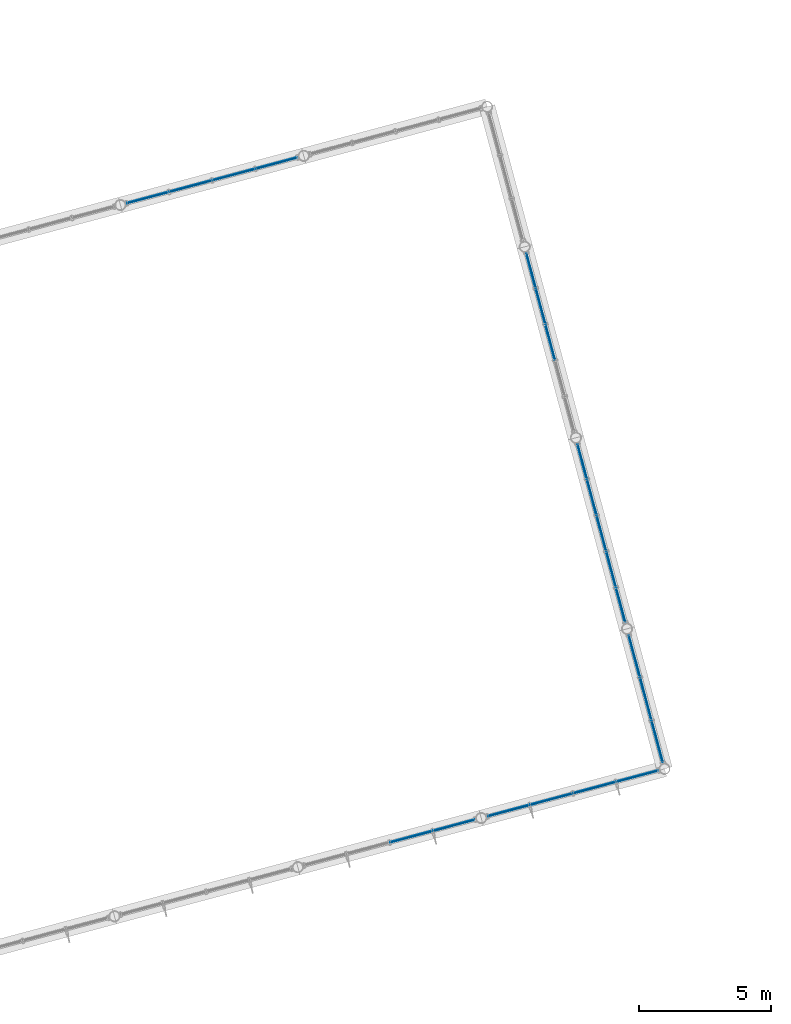
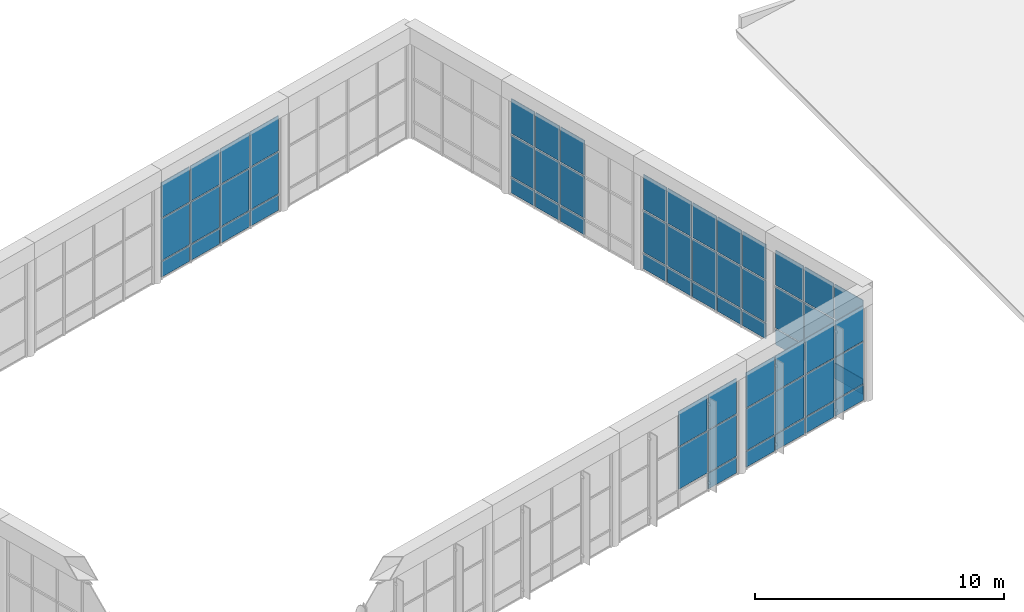
# One storey, part 41 of 55: 62 plates, 6 elements without a shape of their own.
"""IFC4 building model written with IfcOpenShell, lengths in metres."""

from ifc_helpers import new_model, si_unit, direction, frame, origin, origin_2d, place, context, subcontext, project, spatial, rectangle, extrude, material, layer, layer_set, type_object, element, aggregate, save


model = new_model("IFC4")

# Units and contexts
model_context = context("Model", 3, precision=1e-05, world=origin(), true_north=direction((0.0, 1.0)))
body_context = subcontext(model_context, "Body", "Model", "MODEL_VIEW")
ifc_project = project(units=[si_unit("LENGTHUNIT", "METRE"), si_unit("AREAUNIT", "SQUARE_METRE"), si_unit("VOLUMEUNIT", "CUBIC_METRE"), si_unit("PLANEANGLEUNIT", "RADIAN"), si_unit("MASSUNIT", "GRAM", prefix="KILO")], contexts=[model_context])

# Site, building, storey
site_placement = place(None, origin())
site = spatial("IfcSite", under=ifc_project, at=site_placement, CompositionType="ELEMENT")
building_placement = place(site_placement, origin())
building = spatial("IfcBuilding", under=site, at=building_placement, Name="Ventoquebrada Cableway Terminal", CompositionType="ELEMENT")
storey_placement = place(building_placement, frame((0.0, 0.0, 14.39990234375)))
storey = spatial("IfcBuildingStorey", under=building, at=storey_placement, Name="L03", CompositionType="ELEMENT", Elevation=14.39990234375)

# Curtain wall, plates
ifc_material_1 = material(Name="Anodized thermally-broken aluminium", Category="aluminium")
ifc_layer_1 = layer(ifc_material_1, 0.159912109375)
ifc_layer_set_1 = layer_set([ifc_layer_1], Name="Anodized thermally-broken aluminium")
curtain_wall_type_1 = type_object("IfcCurtainWallType", Name="CW-T42", PredefinedType="USERDEFINED", material=ifc_layer_set_1)
curtain_wall_1_placement = place(storey_placement, origin())
curtain_wall_1 = element("IfcCurtainWall", 1, at=curtain_wall_1_placement, inside=storey, type_object=curtain_wall_type_1, Name="Unitised glazed curtain wall CW-118", ObjectType="UNITISED CURTAIN WALL", PredefinedType="USERDEFINED")
ifc_material_2 = material(Name="Double low-e laminated safety glazing", Category="glass")
ifc_layer_2 = layer(ifc_material_2, 0.031982421875)
ifc_layer_set_2 = layer_set([ifc_layer_2], Name="Double low-e laminated safety glazing")
plate_type_1 = type_object("IfcPlateType", Name="CWP-GL1", PredefinedType="CURTAIN_PANEL", material=ifc_layer_set_2)
plate_1_placement = place(storey_placement, frame((77.137939453125, 76.52587890625, 2.9697265625), z_axis=(0.0, 0.0, 1.0), x_axis=(0.965957439792, 0.258701033069, 0.0)))
plate_1 = element("IfcPlate", 2, at=plate_1_placement, type_object=plate_type_1, Name="Vision glazing panel PN-1235", PredefinedType="CURTAIN_PANEL", context=body_context, shape_type="SweptSolid", body=[
    extrude(rectangle(XDim=1.636962890625, YDim=0.031982421875, at=origin_2d()), origin(), (0.0, 0.0, 1.0), 1.720947265625),
])
plate_2_placement = place(storey_placement, frame((78.760009765625, 76.9599609375, 0.874267578125), z_axis=(0.0, 0.0, 1.0), x_axis=(0.965957439792, 0.258701033069, 0.0)))
plate_2 = element("IfcPlate", 3, at=plate_2_placement, type_object=plate_type_1, Name="Vision glazing panel PN-1237", PredefinedType="CURTAIN_PANEL", context=body_context, shape_type="SweptSolid", body=[
    extrude(rectangle(XDim=1.60205078125, YDim=0.031982421875, at=origin_2d()), origin(), (0.0, 0.0, 1.0), 2.0458984375),
])

curtain_wall_2_placement = place(storey_placement, origin())
curtain_wall_2 = element("IfcCurtainWall", 4, at=curtain_wall_2_placement, inside=storey, type_object=curtain_wall_type_1, Name="Unitised glazed curtain wall CW-119", ObjectType="UNITISED CURTAIN WALL", PredefinedType="USERDEFINED")
plate_3_placement = place(storey_placement, frame((80.833984375, 77.51611328125, 2.9697265625), z_axis=(0.0, 0.0, 1.0), x_axis=(0.965912273231, 0.258869620506, 0.0)))
plate_3 = element("IfcPlate", 5, at=plate_3_placement, type_object=plate_type_1, Name="Vision glazing panel PN-1241", PredefinedType="CURTAIN_PANEL", context=body_context, shape_type="SweptSolid", body=[
    extrude(rectangle(XDim=1.60205078125, YDim=0.031982421875, at=origin_2d()), origin(), (0.0, 0.0, 1.0), 1.720947265625),
])
plate_4_placement = place(storey_placement, frame((82.455078125, 77.950927734375, 0.874267578125), z_axis=(0.0, 0.0, 1.0), x_axis=(0.965912273231, 0.258869620506, 0.0)))
plate_4 = element("IfcPlate", 6, at=plate_4_placement, type_object=plate_type_1, Name="Vision glazing panel PN-1243", PredefinedType="CURTAIN_PANEL", context=body_context, shape_type="SweptSolid", body=[
    extrude(rectangle(XDim=1.636962890625, YDim=0.031982421875, at=origin_2d()), origin(), (0.0, 0.0, 1.0), 2.0458984375),
])
plate_5_placement = place(storey_placement, frame((84.093017578125, 78.388916015625, 2.9697265625), z_axis=(0.0, 0.0, 1.0), x_axis=(0.965912273231, 0.258869620506, 0.0)))
plate_5 = element("IfcPlate", 7, at=plate_5_placement, type_object=plate_type_1, Name="Vision glazing panel PN-1247", PredefinedType="CURTAIN_PANEL", context=body_context, shape_type="SweptSolid", body=[
    extrude(rectangle(XDim=1.636962890625, YDim=0.031982421875, at=origin_2d()), origin(), (0.0, 0.0, 1.0), 1.720947265625),
])
plate_6_placement = place(storey_placement, frame((85.714111328125, 78.823974609375, 0.874267578125), z_axis=(0.0, 0.0, 1.0), x_axis=(0.965912273231, 0.258869620506, 0.0)))
plate_6 = element("IfcPlate", 8, at=plate_6_placement, type_object=plate_type_1, Name="Vision glazing panel PN-1249", PredefinedType="CURTAIN_PANEL", context=body_context, shape_type="SweptSolid", body=[
    extrude(rectangle(XDim=1.60205078125, YDim=0.031982421875, at=origin_2d()), origin(), (0.0, 0.0, 1.0), 2.0458984375),
])

curtain_wall_3_placement = place(storey_placement, origin())
curtain_wall_3 = element("IfcCurtainWall", 9, at=curtain_wall_3_placement, inside=storey, type_object=curtain_wall_type_1, Name="Unitised glazed curtain wall CW-123", ObjectType="UNITISED CURTAIN WALL", PredefinedType="USERDEFINED")
plate_7_placement = place(storey_placement, frame((72.030029296875, 102.074951171875, 2.9697265625), z_axis=(0.0, 0.0, 1.0), x_axis=(-0.965948408834, -0.258734751187, 0.0)))
plate_7 = element("IfcPlate", 10, at=plate_7_placement, type_object=plate_type_1, Name="Vision glazing panel PN-1289", PredefinedType="CURTAIN_PANEL", context=body_context, shape_type="SweptSolid", body=[
    extrude(rectangle(XDim=1.60205078125, YDim=0.031982421875, at=origin_2d()), origin(), (0.0, 0.0, 1.0), 1.720947265625),
])
plate_8_placement = place(storey_placement, frame((70.408935546875, 101.639892578125, 0.874267578125), z_axis=(0.0, 0.0, 1.0), x_axis=(-0.965948408834, -0.258734751187, 0.0)))
plate_8 = element("IfcPlate", 11, at=plate_8_placement, type_object=plate_type_1, Name="Vision glazing panel PN-1291", PredefinedType="CURTAIN_PANEL", context=body_context, shape_type="SweptSolid", body=[
    extrude(rectangle(XDim=1.636962890625, YDim=0.031982421875, at=origin_2d()), origin(), (0.0, 0.0, 1.0), 2.0458984375),
])
plate_9_placement = place(storey_placement, frame((68.77099609375, 101.200927734375, 2.9697265625), z_axis=(0.0, 0.0, 1.0), x_axis=(-0.965948408834, -0.258734751187, 0.0)))
plate_9 = element("IfcPlate", 12, at=plate_9_placement, type_object=plate_type_1, Name="Vision glazing panel PN-1295", PredefinedType="CURTAIN_PANEL", context=body_context, shape_type="SweptSolid", body=[
    extrude(rectangle(XDim=1.636962890625, YDim=0.031982421875, at=origin_2d()), origin(), (0.0, 0.0, 1.0), 1.720947265625),
])
plate_10_placement = place(storey_placement, frame((67.14990234375, 100.76708984375, 0.874267578125), z_axis=(0.0, 0.0, 1.0), x_axis=(-0.965948408834, -0.258734751187, 0.0)))
plate_10 = element("IfcPlate", 13, at=plate_10_placement, type_object=plate_type_1, Name="Vision glazing panel PN-1297", PredefinedType="CURTAIN_PANEL", context=body_context, shape_type="SweptSolid", body=[
    extrude(rectangle(XDim=1.60205078125, YDim=0.031982421875, at=origin_2d()), origin(), (0.0, 0.0, 1.0), 2.0458984375),
])

ifc_layer_3 = layer(ifc_material_1, 0.159912109375)
ifc_layer_set_3 = layer_set([ifc_layer_3], Name="Anodized thermally-broken aluminium")
curtain_wall_type_2 = type_object("IfcCurtainWallType", Name="CW-T43", PredefinedType="USERDEFINED", material=ifc_layer_set_3)
curtain_wall_4_placement = place(storey_placement, origin())
curtain_wall_4 = element("IfcCurtainWall", 14, at=curtain_wall_4_placement, inside=storey, type_object=curtain_wall_type_2, Name="Unitised glazed curtain wall CW-129", ObjectType="UNITISED CURTAIN WALL", PredefinedType="USERDEFINED")
plate_11_placement = place(storey_placement, frame((86.47412109375, 80.137939453125, 2.974609375), z_axis=(0.0, 0.0, 1.0), x_axis=(-0.258701033069, 0.965957439792, 0.0)))
plate_11 = element("IfcPlate", 15, at=plate_11_placement, type_object=plate_type_1, Name="Vision glazing panel PN-1361", PredefinedType="CURTAIN_PANEL", context=body_context, shape_type="SweptSolid", body=[
    extrude(rectangle(XDim=1.60009765625, YDim=0.031982421875, at=origin_2d()), origin(), (0.0, 0.0, 1.0), 1.7109375),
])
plate_12_placement = place(storey_placement, frame((86.0400390625, 81.758056640625, 0.87939453125), z_axis=(0.0, 0.0, 1.0), x_axis=(-0.258701033069, 0.965957439792, 0.0)))
plate_12 = element("IfcPlate", 16, at=plate_12_placement, type_object=plate_type_1, Name="Vision glazing panel PN-1363", PredefinedType="CURTAIN_PANEL", context=body_context, shape_type="SweptSolid", body=[
    extrude(rectangle(XDim=1.635009765625, YDim=0.031982421875, at=origin_2d()), origin(), (0.0, 0.0, 1.0), 2.035888671875),
])
plate_13_placement = place(storey_placement, frame((85.60595703125, 83.3779296875, 2.974609375), z_axis=(0.0, 0.0, 1.0), x_axis=(-0.258701033069, 0.965957439792, 0.0)))
plate_13 = element("IfcPlate", 17, at=plate_13_placement, type_object=plate_type_1, Name="Vision glazing panel PN-1367", PredefinedType="CURTAIN_PANEL", context=body_context, shape_type="SweptSolid", body=[
    extrude(rectangle(XDim=1.60009765625, YDim=0.031982421875, at=origin_2d()), origin(), (0.0, 0.0, 1.0), 1.7109375),
])

ifc_layer_4 = layer(ifc_material_1, 0.159912109375)
ifc_layer_set_4 = layer_set([ifc_layer_4], Name="Anodized thermally-broken aluminium")
curtain_wall_type_3 = type_object("IfcCurtainWallType", Name="CW-T44", PredefinedType="USERDEFINED", material=ifc_layer_set_4)
curtain_wall_5_placement = place(storey_placement, origin())
curtain_wall_5 = element("IfcCurtainWall", 18, at=curtain_wall_5_placement, inside=storey, type_object=curtain_wall_type_3, Name="Unitised glazed curtain wall CW-130", ObjectType="UNITISED CURTAIN WALL", PredefinedType="USERDEFINED")
plate_14_placement = place(storey_placement, frame((85.0869140625, 85.31591796875, 2.974609375), z_axis=(0.0, 0.0, 1.0), x_axis=(-0.258734751187, 0.965948408834, 0.0)))
plate_14 = element("IfcPlate", 19, at=plate_14_placement, type_object=plate_type_1, Name="Vision glazing panel PN-1370", PredefinedType="CURTAIN_PANEL", context=body_context, shape_type="SweptSolid", body=[
    extrude(rectangle(XDim=1.322998046875, YDim=0.031982421875, at=origin_2d()), origin(), (0.0, 0.0, 1.0), 1.7109375),
])
plate_15_placement = place(storey_placement, frame((84.72412109375, 86.66796875, 0.87939453125), z_axis=(0.0, 0.0, 1.0), x_axis=(-0.258734751187, 0.965948408834, 0.0)))
plate_15 = element("IfcPlate", 20, at=plate_15_placement, type_object=plate_type_1, Name="Vision glazing panel PN-1372", PredefinedType="CURTAIN_PANEL", context=body_context, shape_type="SweptSolid", body=[
    extrude(rectangle(XDim=1.35791015625, YDim=0.031982421875, at=origin_2d()), origin(), (0.0, 0.0, 1.0), 2.035888671875),
])
plate_16_placement = place(storey_placement, frame((84.35791015625, 88.035888671875, 2.974609375), z_axis=(0.0, 0.0, 1.0), x_axis=(-0.258734751187, 0.965948408834, 0.0)))
plate_16 = element("IfcPlate", 21, at=plate_16_placement, type_object=plate_type_1, Name="Vision glazing panel PN-1376", PredefinedType="CURTAIN_PANEL", context=body_context, shape_type="SweptSolid", body=[
    extrude(rectangle(XDim=1.35791015625, YDim=0.031982421875, at=origin_2d()), origin(), (0.0, 0.0, 1.0), 1.7109375),
])
plate_17_placement = place(storey_placement, frame((83.990966796875, 89.405029296875, 0.87939453125), z_axis=(0.0, 0.0, 1.0), x_axis=(-0.258734751187, 0.965948408834, 0.0)))
plate_17 = element("IfcPlate", 22, at=plate_17_placement, type_object=plate_type_1, Name="Vision glazing panel PN-1378", PredefinedType="CURTAIN_PANEL", context=body_context, shape_type="SweptSolid", body=[
    extrude(rectangle(XDim=1.35791015625, YDim=0.031982421875, at=origin_2d()), origin(), (0.0, 0.0, 1.0), 2.035888671875),
])
plate_18_placement = place(storey_placement, frame((83.62890625, 90.757080078125, 2.974609375), z_axis=(0.0, 0.0, 1.0), x_axis=(-0.258734751187, 0.965948408834, 0.0)))
plate_18 = element("IfcPlate", 23, at=plate_18_placement, type_object=plate_type_1, Name="Vision glazing panel PN-1382", PredefinedType="CURTAIN_PANEL", context=body_context, shape_type="SweptSolid", body=[
    extrude(rectangle(XDim=1.322998046875, YDim=0.031982421875, at=origin_2d()), origin(), (0.0, 0.0, 1.0), 1.7109375),
])

curtain_wall_6_placement = place(storey_placement, origin())
curtain_wall_6 = element("IfcCurtainWall", 24, at=curtain_wall_6_placement, inside=storey, type_object=curtain_wall_type_3, Name="Unitised glazed curtain wall CW-131", ObjectType="UNITISED CURTAIN WALL", PredefinedType="USERDEFINED")
plate_19_placement = place(storey_placement, frame((82.416015625, 95.281005859375, 2.974609375), z_axis=(0.0, 0.0, 1.0), x_axis=(-0.258785327773, 0.96593486019, 0.0)))
plate_19 = element("IfcPlate", 25, at=plate_19_placement, type_object=plate_type_1, Name="Vision glazing panel PN-1391", PredefinedType="CURTAIN_PANEL", context=body_context, shape_type="SweptSolid", body=[
    extrude(rectangle(XDim=1.35791015625, YDim=0.031982421875, at=origin_2d()), origin(), (0.0, 0.0, 1.0), 1.7109375),
])
plate_20_placement = place(storey_placement, frame((82.050048828125, 96.64990234375, 0.87939453125), z_axis=(0.0, 0.0, 1.0), x_axis=(-0.258785327773, 0.96593486019, 0.0)))
plate_20 = element("IfcPlate", 26, at=plate_20_placement, type_object=plate_type_1, Name="Vision glazing panel PN-1393", PredefinedType="CURTAIN_PANEL", context=body_context, shape_type="SweptSolid", body=[
    extrude(rectangle(XDim=1.35791015625, YDim=0.031982421875, at=origin_2d()), origin(), (0.0, 0.0, 1.0), 2.035888671875),
])
plate_21_placement = place(storey_placement, frame((81.68798828125, 98.0009765625, 2.974609375), z_axis=(0.0, 0.0, 1.0), x_axis=(-0.258785327773, 0.96593486019, 0.0)))
plate_21 = element("IfcPlate", 27, at=plate_21_placement, type_object=plate_type_1, Name="Vision glazing panel PN-1397", PredefinedType="CURTAIN_PANEL", context=body_context, shape_type="SweptSolid", body=[
    extrude(rectangle(XDim=1.322998046875, YDim=0.031982421875, at=origin_2d()), origin(), (0.0, 0.0, 1.0), 1.7109375),
])

# Plate
ifc_layer_5 = layer(ifc_material_2, 0.0380859375)
ifc_layer_set_5 = layer_set([ifc_layer_5], Name="Double low-e laminated safety glazing")
plate_type_2 = type_object("IfcPlateType", Name="CWP-GL2", PredefinedType="CURTAIN_PANEL", material=ifc_layer_set_5)
plate_22_placement = place(storey_placement, frame((77.137939453125, 76.52587890625, 0.874267578125), z_axis=(0.0, 0.0, 1.0), x_axis=(0.965957439792, 0.258701033069, 0.0)))
plate_22 = element("IfcPlate", 28, at=plate_22_placement, type_object=plate_type_2, Name="Vision glazing panel PN-1234", PredefinedType="CURTAIN_PANEL", context=body_context, shape_type="SweptSolid", body=[
    extrude(rectangle(XDim=1.636962890625, YDim=0.0380859375, at=origin_2d()), origin(), (0.0, 0.0, 1.0), 2.0458984375),
])

plate_23_placement = place(storey_placement, frame((78.760009765625, 76.9599609375, 2.9697265625), z_axis=(0.0, 0.0, 1.0), x_axis=(0.965957439792, 0.258701033069, 0.0)))
plate_23 = element("IfcPlate", 29, at=plate_23_placement, type_object=plate_type_2, Name="Vision glazing panel PN-1238", PredefinedType="CURTAIN_PANEL", context=body_context, shape_type="SweptSolid", body=[
    extrude(rectangle(XDim=1.60205078125, YDim=0.0380859375, at=origin_2d()), origin(), (0.0, 0.0, 1.0), 1.720947265625),
])

plate_24_placement = place(storey_placement, frame((80.833984375, 77.51611328125, 0.874267578125), z_axis=(0.0, 0.0, 1.0), x_axis=(0.965912273231, 0.258869620506, 0.0)))
plate_24 = element("IfcPlate", 30, at=plate_24_placement, type_object=plate_type_2, Name="Vision glazing panel PN-1240", PredefinedType="CURTAIN_PANEL", context=body_context, shape_type="SweptSolid", body=[
    extrude(rectangle(XDim=1.60205078125, YDim=0.0380859375, at=origin_2d()), origin(), (0.0, 0.0, 1.0), 2.0458984375),
])

plate_25_placement = place(storey_placement, frame((82.455078125, 77.950927734375, 2.9697265625), z_axis=(0.0, 0.0, 1.0), x_axis=(0.965912273231, 0.258869620506, 0.0)))
plate_25 = element("IfcPlate", 31, at=plate_25_placement, type_object=plate_type_2, Name="Vision glazing panel PN-1244", PredefinedType="CURTAIN_PANEL", context=body_context, shape_type="SweptSolid", body=[
    extrude(rectangle(XDim=1.636962890625, YDim=0.0380859375, at=origin_2d()), origin(), (0.0, 0.0, 1.0), 1.720947265625),
])

plate_26_placement = place(storey_placement, frame((84.093017578125, 78.388916015625, 0.874267578125), z_axis=(0.0, 0.0, 1.0), x_axis=(0.965912273231, 0.258869620506, 0.0)))
plate_26 = element("IfcPlate", 32, at=plate_26_placement, type_object=plate_type_2, Name="Vision glazing panel PN-1246", PredefinedType="CURTAIN_PANEL", context=body_context, shape_type="SweptSolid", body=[
    extrude(rectangle(XDim=1.636962890625, YDim=0.0380859375, at=origin_2d()), origin(), (0.0, 0.0, 1.0), 2.0458984375),
])

plate_27_placement = place(storey_placement, frame((85.714111328125, 78.823974609375, 2.9697265625), z_axis=(0.0, 0.0, 1.0), x_axis=(0.965912273231, 0.258869620506, 0.0)))
plate_27 = element("IfcPlate", 33, at=plate_27_placement, type_object=plate_type_2, Name="Vision glazing panel PN-1250", PredefinedType="CURTAIN_PANEL", context=body_context, shape_type="SweptSolid", body=[
    extrude(rectangle(XDim=1.60205078125, YDim=0.0380859375, at=origin_2d()), origin(), (0.0, 0.0, 1.0), 1.720947265625),
])

plate_28_placement = place(storey_placement, frame((72.030029296875, 102.074951171875, 0.874267578125), z_axis=(0.0, 0.0, 1.0), x_axis=(-0.965948408834, -0.258734751187, 0.0)))
plate_28 = element("IfcPlate", 34, at=plate_28_placement, type_object=plate_type_2, Name="Vision glazing panel PN-1288", PredefinedType="CURTAIN_PANEL", context=body_context, shape_type="SweptSolid", body=[
    extrude(rectangle(XDim=1.60205078125, YDim=0.0380859375, at=origin_2d()), origin(), (0.0, 0.0, 1.0), 2.0458984375),
])

plate_29_placement = place(storey_placement, frame((70.408935546875, 101.639892578125, 2.9697265625), z_axis=(0.0, 0.0, 1.0), x_axis=(-0.965948408834, -0.258734751187, 0.0)))
plate_29 = element("IfcPlate", 35, at=plate_29_placement, type_object=plate_type_2, Name="Vision glazing panel PN-1292", PredefinedType="CURTAIN_PANEL", context=body_context, shape_type="SweptSolid", body=[
    extrude(rectangle(XDim=1.636962890625, YDim=0.0380859375, at=origin_2d()), origin(), (0.0, 0.0, 1.0), 1.720947265625),
])

plate_30_placement = place(storey_placement, frame((68.77099609375, 101.200927734375, 0.874267578125), z_axis=(0.0, 0.0, 1.0), x_axis=(-0.965948408834, -0.258734751187, 0.0)))
plate_30 = element("IfcPlate", 36, at=plate_30_placement, type_object=plate_type_2, Name="Vision glazing panel PN-1294", PredefinedType="CURTAIN_PANEL", context=body_context, shape_type="SweptSolid", body=[
    extrude(rectangle(XDim=1.636962890625, YDim=0.0380859375, at=origin_2d()), origin(), (0.0, 0.0, 1.0), 2.0458984375),
])

plate_31_placement = place(storey_placement, frame((67.14990234375, 100.76708984375, 2.9697265625), z_axis=(0.0, 0.0, 1.0), x_axis=(-0.965948408834, -0.258734751187, 0.0)))
plate_31 = element("IfcPlate", 37, at=plate_31_placement, type_object=plate_type_2, Name="Vision glazing panel PN-1298", PredefinedType="CURTAIN_PANEL", context=body_context, shape_type="SweptSolid", body=[
    extrude(rectangle(XDim=1.60205078125, YDim=0.0380859375, at=origin_2d()), origin(), (0.0, 0.0, 1.0), 1.720947265625),
])

plate_32_placement = place(storey_placement, frame((86.47412109375, 80.137939453125, 0.87939453125), z_axis=(0.0, 0.0, 1.0), x_axis=(-0.258701033069, 0.965957439792, 0.0)))
plate_32 = element("IfcPlate", 38, at=plate_32_placement, type_object=plate_type_2, Name="Vision glazing panel PN-1360", PredefinedType="CURTAIN_PANEL", context=body_context, shape_type="SweptSolid", body=[
    extrude(rectangle(XDim=1.60009765625, YDim=0.0380859375, at=origin_2d()), origin(), (0.0, 0.0, 1.0), 2.035888671875),
])

plate_33_placement = place(storey_placement, frame((86.0400390625, 81.758056640625, 2.974609375), z_axis=(0.0, 0.0, 1.0), x_axis=(-0.258701033069, 0.965957439792, 0.0)))
plate_33 = element("IfcPlate", 39, at=plate_33_placement, type_object=plate_type_2, Name="Vision glazing panel PN-1364", PredefinedType="CURTAIN_PANEL", context=body_context, shape_type="SweptSolid", body=[
    extrude(rectangle(XDim=1.635009765625, YDim=0.0380859375, at=origin_2d()), origin(), (0.0, 0.0, 1.0), 1.7109375),
])

plate_34_placement = place(storey_placement, frame((85.60595703125, 83.3779296875, 0.87939453125), z_axis=(0.0, 0.0, 1.0), x_axis=(-0.258701033069, 0.965957439792, 0.0)))
plate_34 = element("IfcPlate", 40, at=plate_34_placement, type_object=plate_type_2, Name="Vision glazing panel PN-1366", PredefinedType="CURTAIN_PANEL", context=body_context, shape_type="SweptSolid", body=[
    extrude(rectangle(XDim=1.60009765625, YDim=0.0380859375, at=origin_2d()), origin(), (0.0, 0.0, 1.0), 2.035888671875),
])

plate_35_placement = place(storey_placement, frame((85.0869140625, 85.31591796875, 0.87939453125), z_axis=(0.0, 0.0, 1.0), x_axis=(-0.258734751187, 0.965948408834, 0.0)))
plate_35 = element("IfcPlate", 41, at=plate_35_placement, type_object=plate_type_2, Name="Vision glazing panel PN-1369", PredefinedType="CURTAIN_PANEL", context=body_context, shape_type="SweptSolid", body=[
    extrude(rectangle(XDim=1.322998046875, YDim=0.0380859375, at=origin_2d()), origin(), (0.0, 0.0, 1.0), 2.035888671875),
])

plate_36_placement = place(storey_placement, frame((84.72412109375, 86.66796875, 2.974609375), z_axis=(0.0, 0.0, 1.0), x_axis=(-0.258734751187, 0.965948408834, 0.0)))
plate_36 = element("IfcPlate", 42, at=plate_36_placement, type_object=plate_type_2, Name="Vision glazing panel PN-1373", PredefinedType="CURTAIN_PANEL", context=body_context, shape_type="SweptSolid", body=[
    extrude(rectangle(XDim=1.35791015625, YDim=0.0380859375, at=origin_2d()), origin(), (0.0, 0.0, 1.0), 1.7109375),
])

plate_37_placement = place(storey_placement, frame((84.35791015625, 88.035888671875, 0.87939453125), z_axis=(0.0, 0.0, 1.0), x_axis=(-0.258734751187, 0.965948408834, 0.0)))
plate_37 = element("IfcPlate", 43, at=plate_37_placement, type_object=plate_type_2, Name="Vision glazing panel PN-1375", PredefinedType="CURTAIN_PANEL", context=body_context, shape_type="SweptSolid", body=[
    extrude(rectangle(XDim=1.35791015625, YDim=0.0380859375, at=origin_2d()), origin(), (0.0, 0.0, 1.0), 2.035888671875),
])

plate_38_placement = place(storey_placement, frame((83.990966796875, 89.405029296875, 2.974609375), z_axis=(0.0, 0.0, 1.0), x_axis=(-0.258734751187, 0.965948408834, 0.0)))
plate_38 = element("IfcPlate", 44, at=plate_38_placement, type_object=plate_type_2, Name="Vision glazing panel PN-1379", PredefinedType="CURTAIN_PANEL", context=body_context, shape_type="SweptSolid", body=[
    extrude(rectangle(XDim=1.35791015625, YDim=0.0380859375, at=origin_2d()), origin(), (0.0, 0.0, 1.0), 1.7109375),
])

plate_39_placement = place(storey_placement, frame((83.62890625, 90.757080078125, 0.87939453125), z_axis=(0.0, 0.0, 1.0), x_axis=(-0.258734751187, 0.965948408834, 0.0)))
plate_39 = element("IfcPlate", 45, at=plate_39_placement, type_object=plate_type_2, Name="Vision glazing panel PN-1381", PredefinedType="CURTAIN_PANEL", context=body_context, shape_type="SweptSolid", body=[
    extrude(rectangle(XDim=1.322998046875, YDim=0.0380859375, at=origin_2d()), origin(), (0.0, 0.0, 1.0), 2.035888671875),
])

plate_40_placement = place(storey_placement, frame((82.416015625, 95.281005859375, 0.87939453125), z_axis=(0.0, 0.0, 1.0), x_axis=(-0.258785327773, 0.96593486019, 0.0)))
plate_40 = element("IfcPlate", 46, at=plate_40_placement, type_object=plate_type_2, Name="Vision glazing panel PN-1390", PredefinedType="CURTAIN_PANEL", context=body_context, shape_type="SweptSolid", body=[
    extrude(rectangle(XDim=1.35791015625, YDim=0.0380859375, at=origin_2d()), origin(), (0.0, 0.0, 1.0), 2.035888671875),
])

plate_41_placement = place(storey_placement, frame((82.050048828125, 96.64990234375, 2.974609375), z_axis=(0.0, 0.0, 1.0), x_axis=(-0.258785327773, 0.96593486019, 0.0)))
plate_41 = element("IfcPlate", 47, at=plate_41_placement, type_object=plate_type_2, Name="Vision glazing panel PN-1394", PredefinedType="CURTAIN_PANEL", context=body_context, shape_type="SweptSolid", body=[
    extrude(rectangle(XDim=1.35791015625, YDim=0.0380859375, at=origin_2d()), origin(), (0.0, 0.0, 1.0), 1.7109375),
])

plate_42_placement = place(storey_placement, frame((81.68798828125, 98.0009765625, 0.87939453125), z_axis=(0.0, 0.0, 1.0), x_axis=(-0.258785327773, 0.96593486019, 0.0)))
plate_42 = element("IfcPlate", 48, at=plate_42_placement, type_object=plate_type_2, Name="Vision glazing panel PN-1396", PredefinedType="CURTAIN_PANEL", context=body_context, shape_type="SweptSolid", body=[
    extrude(rectangle(XDim=1.322998046875, YDim=0.0380859375, at=origin_2d()), origin(), (0.0, 0.0, 1.0), 2.035888671875),
])

ifc_material_3 = material(Name="Insulated aluminium spandrel cassette", Category="aluminium")
ifc_layer_6 = layer(ifc_material_3, 0.044921875)
ifc_layer_set_6 = layer_set([ifc_layer_6], Name="Insulated aluminium spandrel cassette")
plate_type_3 = type_object("IfcPlateType", Name="CWP-SP1", PredefinedType="CURTAIN_PANEL", material=ifc_layer_set_6)
plate_43_placement = place(storey_placement, frame((78.760009765625, 76.9599609375, 0.06005859375), z_axis=(0.0, 0.0, 1.0), x_axis=(0.965957439792, 0.258701033069, 0.0)))
plate_43 = element("IfcPlate", 49, at=plate_43_placement, type_object=plate_type_3, Name="Insulated spandrel panel PN-1236", PredefinedType="CURTAIN_PANEL", context=body_context, shape_type="SweptSolid", body=[
    extrude(rectangle(XDim=1.60205078125, YDim=0.044921875, at=origin_2d()), origin(), (0.0, 0.0, 1.0), 0.76611328125),
])

aggregate(curtain_wall_1, [plate_22, plate_1, plate_43, plate_2, plate_23])

plate_44_placement = place(storey_placement, frame((80.833984375, 77.51611328125, 0.06005859375), z_axis=(0.0, 0.0, 1.0), x_axis=(0.965912273231, 0.258869620506, 0.0)))
plate_44 = element("IfcPlate", 50, at=plate_44_placement, type_object=plate_type_3, Name="Insulated spandrel panel PN-1239", PredefinedType="CURTAIN_PANEL", context=body_context, shape_type="SweptSolid", body=[
    extrude(rectangle(XDim=1.60205078125, YDim=0.044921875, at=origin_2d()), origin(), (0.0, 0.0, 1.0), 0.76611328125),
])

plate_45_placement = place(storey_placement, frame((82.455078125, 77.950927734375, 0.06005859375), z_axis=(0.0, 0.0, 1.0), x_axis=(0.965912273231, 0.258869620506, 0.0)))
plate_45 = element("IfcPlate", 51, at=plate_45_placement, type_object=plate_type_3, Name="Insulated spandrel panel PN-1242", PredefinedType="CURTAIN_PANEL", context=body_context, shape_type="SweptSolid", body=[
    extrude(rectangle(XDim=1.636962890625, YDim=0.044921875, at=origin_2d()), origin(), (0.0, 0.0, 1.0), 0.76611328125),
])

plate_46_placement = place(storey_placement, frame((84.093017578125, 78.388916015625, 0.06005859375), z_axis=(0.0, 0.0, 1.0), x_axis=(0.965912273231, 0.258869620506, 0.0)))
plate_46 = element("IfcPlate", 52, at=plate_46_placement, type_object=plate_type_3, Name="Insulated spandrel panel PN-1245", PredefinedType="CURTAIN_PANEL", context=body_context, shape_type="SweptSolid", body=[
    extrude(rectangle(XDim=1.636962890625, YDim=0.044921875, at=origin_2d()), origin(), (0.0, 0.0, 1.0), 0.76611328125),
])

plate_47_placement = place(storey_placement, frame((85.714111328125, 78.823974609375, 0.06005859375), z_axis=(0.0, 0.0, 1.0), x_axis=(0.965912273231, 0.258869620506, 0.0)))
plate_47 = element("IfcPlate", 53, at=plate_47_placement, type_object=plate_type_3, Name="Insulated spandrel panel PN-1248", PredefinedType="CURTAIN_PANEL", context=body_context, shape_type="SweptSolid", body=[
    extrude(rectangle(XDim=1.60205078125, YDim=0.044921875, at=origin_2d()), origin(), (0.0, 0.0, 1.0), 0.76611328125),
])

aggregate(curtain_wall_2, [plate_44, plate_24, plate_3, plate_45, plate_4, plate_25, plate_46, plate_26, plate_5, plate_47, plate_6, plate_27])

plate_48_placement = place(storey_placement, frame((72.030029296875, 102.074951171875, 0.06005859375), z_axis=(0.0, 0.0, 1.0), x_axis=(-0.965948408834, -0.258734751187, 0.0)))
plate_48 = element("IfcPlate", 54, at=plate_48_placement, type_object=plate_type_3, Name="Insulated spandrel panel PN-1287", PredefinedType="CURTAIN_PANEL", context=body_context, shape_type="SweptSolid", body=[
    extrude(rectangle(XDim=1.60205078125, YDim=0.044921875, at=origin_2d()), origin(), (0.0, 0.0, 1.0), 0.76611328125),
])

plate_49_placement = place(storey_placement, frame((70.408935546875, 101.639892578125, 0.06005859375), z_axis=(0.0, 0.0, 1.0), x_axis=(-0.965948408834, -0.258734751187, 0.0)))
plate_49 = element("IfcPlate", 55, at=plate_49_placement, type_object=plate_type_3, Name="Insulated spandrel panel PN-1290", PredefinedType="CURTAIN_PANEL", context=body_context, shape_type="SweptSolid", body=[
    extrude(rectangle(XDim=1.636962890625, YDim=0.044921875, at=origin_2d()), origin(), (0.0, 0.0, 1.0), 0.76611328125),
])

plate_50_placement = place(storey_placement, frame((68.77099609375, 101.200927734375, 0.06005859375), z_axis=(0.0, 0.0, 1.0), x_axis=(-0.965948408834, -0.258734751187, 0.0)))
plate_50 = element("IfcPlate", 56, at=plate_50_placement, type_object=plate_type_3, Name="Insulated spandrel panel PN-1293", PredefinedType="CURTAIN_PANEL", context=body_context, shape_type="SweptSolid", body=[
    extrude(rectangle(XDim=1.636962890625, YDim=0.044921875, at=origin_2d()), origin(), (0.0, 0.0, 1.0), 0.76611328125),
])

plate_51_placement = place(storey_placement, frame((67.14990234375, 100.76708984375, 0.06005859375), z_axis=(0.0, 0.0, 1.0), x_axis=(-0.965948408834, -0.258734751187, 0.0)))
plate_51 = element("IfcPlate", 57, at=plate_51_placement, type_object=plate_type_3, Name="Insulated spandrel panel PN-1296", PredefinedType="CURTAIN_PANEL", context=body_context, shape_type="SweptSolid", body=[
    extrude(rectangle(XDim=1.60205078125, YDim=0.044921875, at=origin_2d()), origin(), (0.0, 0.0, 1.0), 0.76611328125),
])

aggregate(curtain_wall_3, [plate_48, plate_28, plate_7, plate_49, plate_8, plate_29, plate_50, plate_30, plate_9, plate_51, plate_10, plate_31])

plate_52_placement = place(storey_placement, frame((86.47412109375, 80.137939453125, 0.06494140625), z_axis=(0.0, 0.0, 1.0), x_axis=(-0.258701033069, 0.965957439792, 0.0)))
plate_52 = element("IfcPlate", 58, at=plate_52_placement, type_object=plate_type_3, Name="Insulated spandrel panel PN-1359", PredefinedType="CURTAIN_PANEL", context=body_context, shape_type="SweptSolid", body=[
    extrude(rectangle(XDim=1.60009765625, YDim=0.044921875, at=origin_2d()), origin(), (0.0, 0.0, 1.0), 0.756103515625),
])

plate_53_placement = place(storey_placement, frame((86.0400390625, 81.758056640625, 0.06494140625), z_axis=(0.0, 0.0, 1.0), x_axis=(-0.258701033069, 0.965957439792, 0.0)))
plate_53 = element("IfcPlate", 59, at=plate_53_placement, type_object=plate_type_3, Name="Insulated spandrel panel PN-1362", PredefinedType="CURTAIN_PANEL", context=body_context, shape_type="SweptSolid", body=[
    extrude(rectangle(XDim=1.635009765625, YDim=0.044921875, at=origin_2d()), origin(), (0.0, 0.0, 1.0), 0.756103515625),
])

plate_54_placement = place(storey_placement, frame((85.60595703125, 83.3779296875, 0.06494140625), z_axis=(0.0, 0.0, 1.0), x_axis=(-0.258701033069, 0.965957439792, 0.0)))
plate_54 = element("IfcPlate", 60, at=plate_54_placement, type_object=plate_type_3, Name="Insulated spandrel panel PN-1365", PredefinedType="CURTAIN_PANEL", context=body_context, shape_type="SweptSolid", body=[
    extrude(rectangle(XDim=1.60009765625, YDim=0.044921875, at=origin_2d()), origin(), (0.0, 0.0, 1.0), 0.756103515625),
])

aggregate(curtain_wall_4, [plate_52, plate_32, plate_11, plate_53, plate_12, plate_33, plate_54, plate_34, plate_13])

plate_55_placement = place(storey_placement, frame((85.0869140625, 85.31591796875, 0.06494140625), z_axis=(0.0, 0.0, 1.0), x_axis=(-0.258734751187, 0.965948408834, 0.0)))
plate_55 = element("IfcPlate", 61, at=plate_55_placement, type_object=plate_type_3, Name="Insulated spandrel panel PN-1368", PredefinedType="CURTAIN_PANEL", context=body_context, shape_type="SweptSolid", body=[
    extrude(rectangle(XDim=1.322998046875, YDim=0.044921875, at=origin_2d()), origin(), (0.0, 0.0, 1.0), 0.756103515625),
])

plate_56_placement = place(storey_placement, frame((84.72412109375, 86.66796875, 0.06494140625), z_axis=(0.0, 0.0, 1.0), x_axis=(-0.258734751187, 0.965948408834, 0.0)))
plate_56 = element("IfcPlate", 62, at=plate_56_placement, type_object=plate_type_3, Name="Insulated spandrel panel PN-1371", PredefinedType="CURTAIN_PANEL", context=body_context, shape_type="SweptSolid", body=[
    extrude(rectangle(XDim=1.35791015625, YDim=0.044921875, at=origin_2d()), origin(), (0.0, 0.0, 1.0), 0.756103515625),
])

plate_57_placement = place(storey_placement, frame((84.35791015625, 88.035888671875, 0.06494140625), z_axis=(0.0, 0.0, 1.0), x_axis=(-0.258734751187, 0.965948408834, 0.0)))
plate_57 = element("IfcPlate", 63, at=plate_57_placement, type_object=plate_type_3, Name="Insulated spandrel panel PN-1374", PredefinedType="CURTAIN_PANEL", context=body_context, shape_type="SweptSolid", body=[
    extrude(rectangle(XDim=1.35791015625, YDim=0.044921875, at=origin_2d()), origin(), (0.0, 0.0, 1.0), 0.756103515625),
])

plate_58_placement = place(storey_placement, frame((83.990966796875, 89.405029296875, 0.06494140625), z_axis=(0.0, 0.0, 1.0), x_axis=(-0.258734751187, 0.965948408834, 0.0)))
plate_58 = element("IfcPlate", 64, at=plate_58_placement, type_object=plate_type_3, Name="Insulated spandrel panel PN-1377", PredefinedType="CURTAIN_PANEL", context=body_context, shape_type="SweptSolid", body=[
    extrude(rectangle(XDim=1.35791015625, YDim=0.044921875, at=origin_2d()), origin(), (0.0, 0.0, 1.0), 0.756103515625),
])

plate_59_placement = place(storey_placement, frame((83.62890625, 90.757080078125, 0.06494140625), z_axis=(0.0, 0.0, 1.0), x_axis=(-0.258734751187, 0.965948408834, 0.0)))
plate_59 = element("IfcPlate", 65, at=plate_59_placement, type_object=plate_type_3, Name="Insulated spandrel panel PN-1380", PredefinedType="CURTAIN_PANEL", context=body_context, shape_type="SweptSolid", body=[
    extrude(rectangle(XDim=1.322998046875, YDim=0.044921875, at=origin_2d()), origin(), (0.0, 0.0, 1.0), 0.756103515625),
])

aggregate(curtain_wall_5, [plate_55, plate_35, plate_14, plate_56, plate_15, plate_36, plate_57, plate_37, plate_16, plate_58, plate_17, plate_38, plate_59, plate_39, plate_18])

plate_60_placement = place(storey_placement, frame((82.416015625, 95.281005859375, 0.06494140625), z_axis=(0.0, 0.0, 1.0), x_axis=(-0.258785327773, 0.96593486019, 0.0)))
plate_60 = element("IfcPlate", 66, at=plate_60_placement, type_object=plate_type_3, Name="Insulated spandrel panel PN-1389", PredefinedType="CURTAIN_PANEL", context=body_context, shape_type="SweptSolid", body=[
    extrude(rectangle(XDim=1.35791015625, YDim=0.044921875, at=origin_2d()), origin(), (0.0, 0.0, 1.0), 0.756103515625),
])

plate_61_placement = place(storey_placement, frame((82.050048828125, 96.64990234375, 0.06494140625), z_axis=(0.0, 0.0, 1.0), x_axis=(-0.258785327773, 0.96593486019, 0.0)))
plate_61 = element("IfcPlate", 67, at=plate_61_placement, type_object=plate_type_3, Name="Insulated spandrel panel PN-1392", PredefinedType="CURTAIN_PANEL", context=body_context, shape_type="SweptSolid", body=[
    extrude(rectangle(XDim=1.35791015625, YDim=0.044921875, at=origin_2d()), origin(), (0.0, 0.0, 1.0), 0.756103515625),
])

plate_62_placement = place(storey_placement, frame((81.68798828125, 98.0009765625, 0.06494140625), z_axis=(0.0, 0.0, 1.0), x_axis=(-0.258785327773, 0.96593486019, 0.0)))
plate_62 = element("IfcPlate", 68, at=plate_62_placement, type_object=plate_type_3, Name="Insulated spandrel panel PN-1395", PredefinedType="CURTAIN_PANEL", context=body_context, shape_type="SweptSolid", body=[
    extrude(rectangle(XDim=1.322998046875, YDim=0.044921875, at=origin_2d()), origin(), (0.0, 0.0, 1.0), 0.756103515625),
])

aggregate(curtain_wall_6, [plate_60, plate_40, plate_19, plate_61, plate_20, plate_41, plate_62, plate_42, plate_21])

save(model, "model.ifc")
